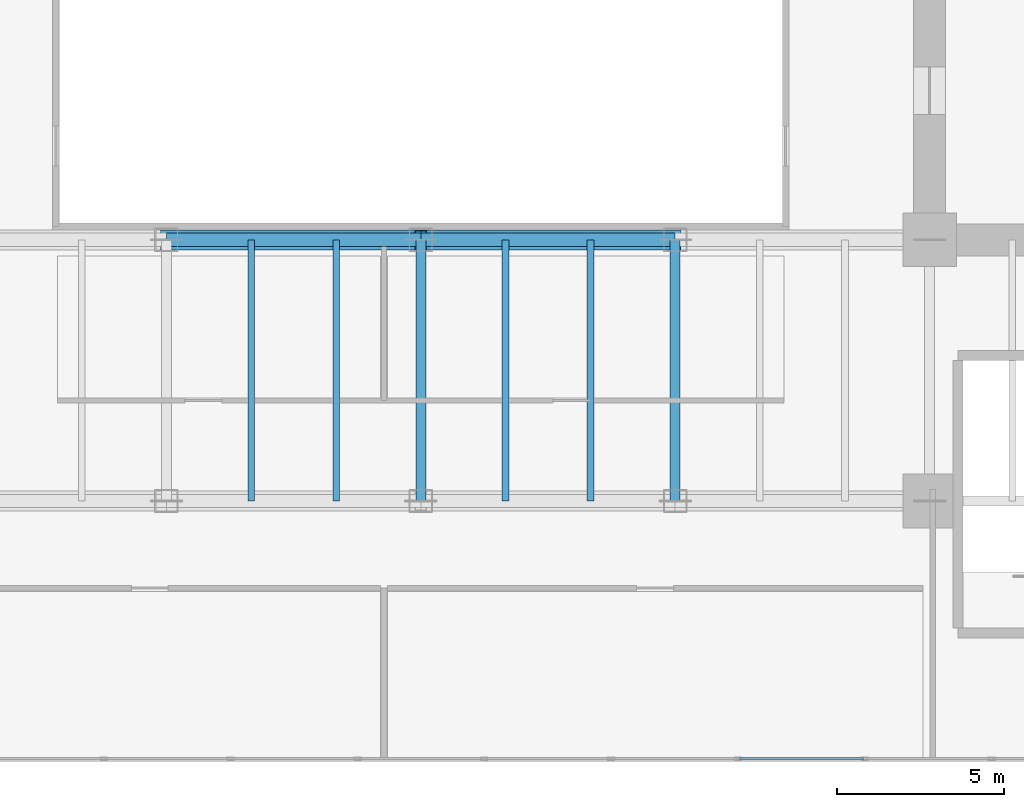
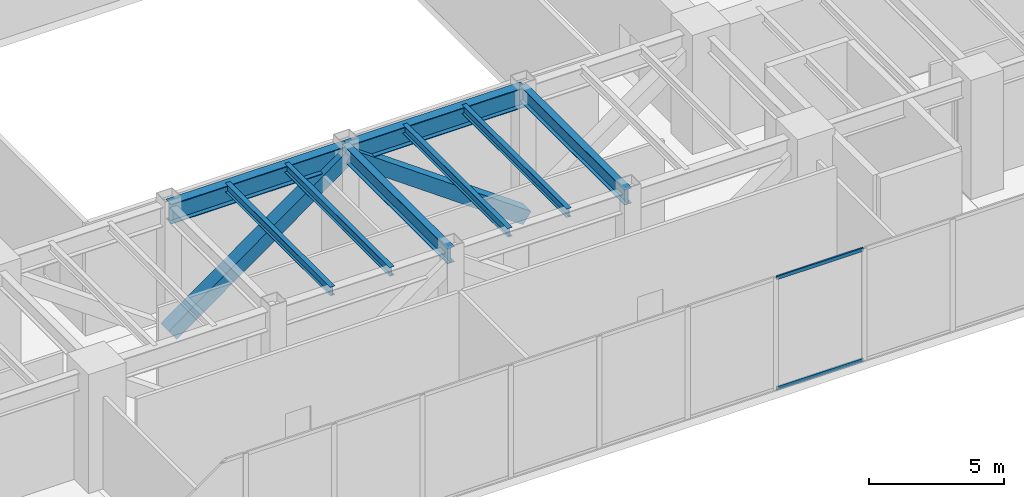
# One storey, part 9 of 35: 8 beams, 4 members, 1 element without a shape of its own.
"""IFC4 building model written with IfcOpenShell, lengths in metres."""

from ifc_helpers import new_model, si_unit, direction, frame, origin, origin_2d, place, context, subcontext, project, spatial, hollow_rectangle, i_section, extrude, source, transform, mapped, material, layer, layer_set, material_profile, profile_set, type_object, type_shapes, element, aggregate, save


model = new_model("IFC4")

# Units and contexts
model_context = context("Model", 3, precision=1e-05, world=origin(), true_north=direction((0.0, 1.0)))
body_context = subcontext(model_context, "Body", "Model", "MODEL_VIEW")
ifc_project = project(units=[si_unit("LENGTHUNIT", "METRE"), si_unit("AREAUNIT", "SQUARE_METRE"), si_unit("VOLUMEUNIT", "CUBIC_METRE"), si_unit("PLANEANGLEUNIT", "RADIAN"), si_unit("MASSUNIT", "GRAM", prefix="KILO")], contexts=[model_context])

# Site, building, storey
site_placement = place(None, origin())
site = spatial("IfcSite", under=ifc_project, at=site_placement, CompositionType="ELEMENT")
building_placement = place(site_placement, origin())
building = spatial("IfcBuilding", under=site, at=building_placement, Name="Haelvirn Gate Laboratories", CompositionType="ELEMENT")
storey_placement = place(building_placement, frame((0.0, 0.0, 19.800048828125)))
storey = spatial("IfcBuildingStorey", under=building, at=storey_placement, Name="L05", CompositionType="ELEMENT", Elevation=19.800048828125)

# Beams
ifc_material_1 = material(Name="Steel SM355", Category="steel")
ifc_material_profile_1 = material_profile(ifc_material_1, i_section(OverallWidth=0.199951171875, OverallDepth=0.39990234375, WebThickness=0.008056640625, FlangeThickness=0.012939453125, at=origin_2d()), Name="H-400x200x8x13")
ifc_profile_set_1 = profile_set([ifc_material_profile_1], Name="Steel SM355")
beam_type_1 = type_object("IfcBeamType", Name="BM-J-400", PredefinedType="JOIST", material=ifc_profile_set_1)
shared_shape_1 = source(origin(), body_context, "Body", "SweptSolid", [
    extrude(i_section(OverallWidth=0.199951171875, OverallDepth=0.39990234375, WebThickness=0.008056640625, FlangeThickness=0.012939453125, at=origin_2d()), origin(), (0.0, 0.0, 1.0), 7.800048828125),
])
type_shapes(beam_type_1, [shared_shape_1])
for number, where, z_axis, x_axis, name in (
    (1, (32.330078125, 7.0, 4.8798828125), (0.0, 1.0, 0.0), (-1.0, 0.0, 0.0), "L05 Composite Lab Joist South X32.33"),
    (2, (34.8701171875, 7.0, 4.8798828125), (0.0, 1.0, 0.0), (-1.0, 0.0, 0.0), "L05 Composite Lab Joist South X34.87"),
    (3, (39.929931640625, 7.0, 4.8798828125), (0.0, 1.0, 0.0), (-1.0, 0.0, 0.0), "L05 Composite Lab Joist South X39.93"),
    (4, (42.469970703125, 7.0, 4.8798828125), (0.0, 1.0, 0.0), (-1.0, 0.0, 0.0), "L05 Composite Lab Joist South X42.47"),
):
    element("IfcBeam", number, at=place(storey_placement, frame(where, z_axis=z_axis, x_axis=x_axis)), inside=storey, type_object=beam_type_1, Name=name, PredefinedType="JOIST", context=body_context, shape_type="MappedRepresentation", body=[
        mapped(shared_shape_1, transform((0.0, 0.0, 0.0), scale=1.0)),
    ])
ifc_material_profile_2 = material_profile(ifc_material_1, i_section(OverallWidth=0.300048828125, OverallDepth=0.699951171875, WebThickness=0.012939453125, FlangeThickness=0.02392578125, at=origin_2d()), Name="H-700x300x13x24")
ifc_profile_set_2 = profile_set([ifc_material_profile_2], Name="Steel SM355")
beam_type_2 = type_object("IfcBeamType", Name="BM-G-700", PredefinedType="BEAM", material=ifc_profile_set_2)
shared_shape_2 = source(origin(), body_context, "Body", "SweptSolid", [
    extrude(i_section(OverallWidth=0.300048828125, OverallDepth=0.699951171875, WebThickness=0.012939453125, FlangeThickness=0.02392578125, at=origin_2d()), origin(), (0.0, 0.0, 1.0), 7.800048828125),
])
type_shapes(beam_type_2, [shared_shape_2])
for number, where, z_axis, x_axis, name in (
    (5, (37.39990234375, 7.0, 4.72998046875), (0.0, 1.0, 0.0), (-1.0, 0.0, 0.0), "L05 Frame Girder X37.4 (7.0-14.8)"),
    (6, (45.0, 7.0, 4.72998046875), (0.0, 1.0, 0.0), (-1.0, 0.0, 0.0), "L05 Frame Girder X45.0 (7.0-14.8)"),
):
    element("IfcBeam", number, at=place(storey_placement, frame(where, z_axis=z_axis, x_axis=x_axis)), inside=storey, type_object=beam_type_2, Name=name, PredefinedType="BEAM", context=body_context, shape_type="MappedRepresentation", body=[
        mapped(shared_shape_2, transform((0.0, 0.0, 0.0), scale=1.0)),
    ])
ifc_material_2 = material(Name="Steel SM420", Category="steel")
ifc_material_profile_3 = material_profile(ifc_material_2, i_section(OverallWidth=0.39990234375, OverallDepth=0.89990234375, WebThickness=0.01904296875, FlangeThickness=0.031982421875, at=origin_2d()), Name="H-900x400x19x32")
ifc_profile_set_3 = profile_set([ifc_material_profile_3], Name="Steel SM420")
beam_type_3 = type_object("IfcBeamType", Name="BM-TG-900", PredefinedType="BEAM", material=ifc_profile_set_3)
shared_shape_3 = source(origin(), body_context, "Body", "SweptSolid", [
    extrude(i_section(OverallWidth=0.39990234375, OverallDepth=0.89990234375, WebThickness=0.01904296875, FlangeThickness=0.031982421875, at=origin_2d()), origin(), (0.0, 0.0, 1.0), 7.60009765625),
])
beam_1_placement = place(storey_placement, frame((37.39990234375, 14.800048828125, 4.6298828125), z_axis=(1.0, 0.0, 0.0), x_axis=(0.0, 1.0, 0.0)))
element("IfcBeam", 7, at=beam_1_placement, inside=storey, type_object=beam_type_3, Name="L05 Primary Girder Y14.8 (37.4-45.0)", PredefinedType="BEAM", context=body_context, shape_type="MappedRepresentation", body=[
    mapped(shared_shape_3, transform((0.0, 0.0, 0.0), scale=1.0)),
])
shared_shape_4 = source(origin(), body_context, "Body", "SweptSolid", [
    extrude(i_section(OverallWidth=0.39990234375, OverallDepth=0.89990234375, WebThickness=0.01904296875, FlangeThickness=0.031982421875, at=origin_2d()), origin(), (0.0, 0.0, 1.0), 7.599853515625),
])
type_shapes(beam_type_3, [shared_shape_3, shared_shape_4])
beam_2_placement = place(storey_placement, frame((29.800048828125, 14.800048828125, 4.6298828125), z_axis=(1.0, 0.0, 0.0), x_axis=(0.0, 1.0, 0.0)))
element("IfcBeam", 8, at=beam_2_placement, inside=storey, type_object=beam_type_3, Name="L05 Primary Girder Y14.8 (29.8-37.4)", PredefinedType="BEAM", context=body_context, shape_type="MappedRepresentation", body=[
    mapped(shared_shape_4, transform((0.0, 0.0, 0.0), scale=1.0)),
])

# Members
ifc_material_profile_4 = material_profile(ifc_material_2, hollow_rectangle(XDim=0.60009765625, YDim=0.60009765625, WallThickness=0.028076171875, at=origin_2d()), Name="BOX-600x600x28")
ifc_profile_set_4 = profile_set([ifc_material_profile_4], Name="Steel SM420")
member_type_1 = type_object("IfcMemberType", Name="MEM-TRUSS-DIAG", PredefinedType="BRACE", material=ifc_profile_set_4)
shared_shape_5 = source(origin(), body_context, "Body", "SweptSolid", [
    extrude(hollow_rectangle(XDim=0.60009765625, YDim=0.60009765625, WallThickness=0.028076171875, at=origin_2d()), origin(), (0.0, 0.0, 1.0), 9.340576171875),
])
member_1_placement = place(storey_placement, frame((37.39990234375, 14.800048828125, 4.6298828125), z_axis=(0.813668121692, 0.0, -0.581329672167), x_axis=(0.0, 1.0, 0.0)))
element("IfcMember", 9, at=member_1_placement, inside=storey, type_object=member_type_1, Name="L05 Portal Transfer Truss Diagonal Y14.8-3", PredefinedType="BRACE", context=body_context, shape_type="MappedRepresentation", body=[
    mapped(shared_shape_5, transform((0.0, 0.0, 0.0), scale=1.0)),
])
shared_shape_6 = source(origin(), body_context, "Body", "SweptSolid", [
    extrude(hollow_rectangle(XDim=0.60009765625, YDim=0.60009765625, WallThickness=0.028076171875, at=origin_2d()), origin(), (0.0, 0.0, 1.0), 9.34033203125),
])
type_shapes(member_type_1, [shared_shape_5, shared_shape_6])
member_2_placement = place(storey_placement, frame((29.800048828125, 14.800048828125, -0.800048828125), z_axis=(0.81365928831, 0.0, 0.581342035764), x_axis=(0.0, 1.0, 0.0)))
element("IfcMember", 10, at=member_2_placement, inside=storey, type_object=member_type_1, Name="L05 Portal Transfer Truss Diagonal Y14.8-2", PredefinedType="BRACE", context=body_context, shape_type="MappedRepresentation", body=[
    mapped(shared_shape_6, transform((0.0, 0.0, 0.0), scale=1.0)),
])

# Curtain wall, members
ifc_material_3 = material(Name="Anodised bronze unitised aluminium & triple low-E glass", Category="aluminium")
ifc_layer = layer(ifc_material_3, 0.18798828125, Name="CW-SYS-1")
ifc_layer_set = layer_set([ifc_layer], Name="Anodised bronze unitised aluminium & triple low-E glass")
curtain_wall_type = type_object("IfcCurtainWallType", Name="CW-SYS-1", PredefinedType="NOTDEFINED", material=ifc_layer_set)
curtain_wall_placement = place(storey_placement, origin())
curtain_wall = element("IfcCurtainWall", 11, at=curtain_wall_placement, inside=storey, type_object=curtain_wall_type, Name="L05 Unitised Curtain Wall CW-L05-P0-E00-1", PredefinedType="NOTDEFINED")
ifc_material_4 = material(Name="Extruded aluminium 6063-T6 (anodised bronze)", Category="aluminium")
ifc_material_profile_5 = material_profile(ifc_material_4, hollow_rectangle(XDim=0.070068359375, YDim=0.159912109375, WallThickness=0.0048828125, at=origin_2d()), Name="CWT-160x70x5")
ifc_profile_set_5 = profile_set([ifc_material_profile_5], Name="Extruded aluminium 6063-T6 (anodised bronze)")
member_type_2 = type_object("IfcMemberType", Name="CWT-T160", PredefinedType="USERDEFINED", material=ifc_profile_set_5)
shared_shape_7 = source(origin(), body_context, "Body", "SweptSolid", [
    extrude(hollow_rectangle(XDim=0.070068359375, YDim=0.159912109375, WallThickness=0.0048828125, at=origin_2d()), origin(), (0.0, 0.0, 1.0), 3.70947265625),
])
type_shapes(member_type_2, [shared_shape_7])
member_3_placement = place(storey_placement, frame((46.91357421875, -0.699951171875, 0.034912109375), z_axis=(1.0, 0.0, 0.0), x_axis=(0.0, 1.0, 0.0)))
member_3 = element("IfcMember", 12, at=member_3_placement, type_object=member_type_2, Name="CW1 transom 13.1", ObjectType="TRANSOM", PredefinedType="USERDEFINED", context=body_context, shape_type="MappedRepresentation", body=[
    mapped(shared_shape_7, transform((0.0, 0.0, 0.0), scale=1.0)),
])
member_4_placement = place(storey_placement, frame((46.91357421875, -0.699951171875, 5.044921875), z_axis=(1.0, 0.0, 0.0), x_axis=(0.0, 1.0, 0.0)))
member_4 = element("IfcMember", 13, at=member_4_placement, type_object=member_type_2, Name="CW1 transom 13.2", ObjectType="TRANSOM", PredefinedType="USERDEFINED", context=body_context, shape_type="MappedRepresentation", body=[
    mapped(shared_shape_7, transform((0.0, 0.0, 0.0), scale=1.0)),
])
aggregate(curtain_wall, [member_3, member_4])

save(model, "model.ifc")
